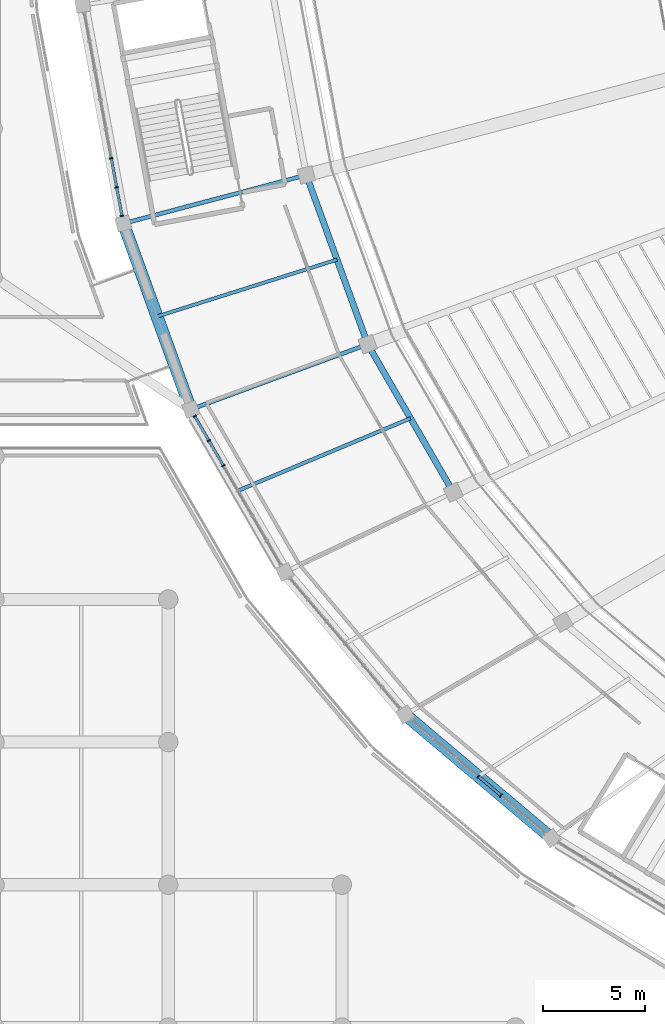
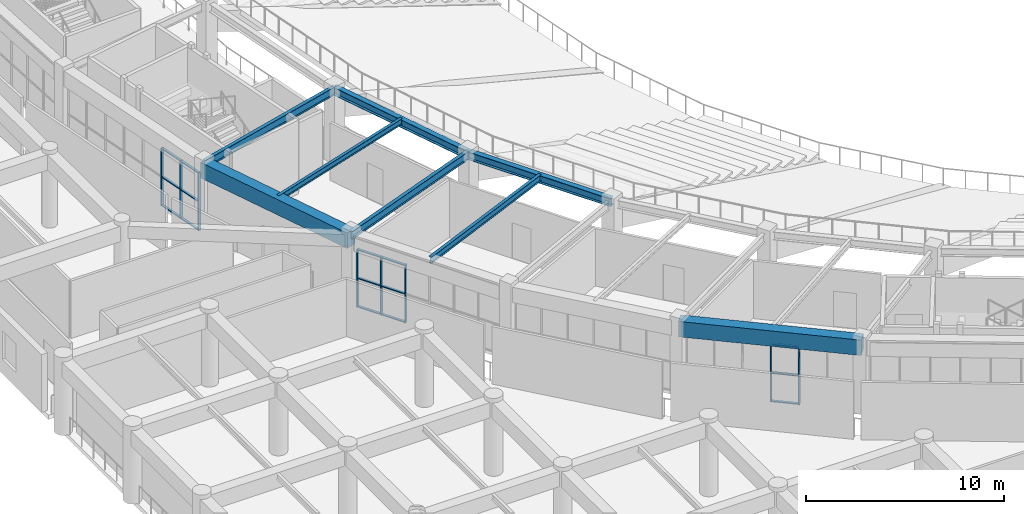
# One storey, part 19 of 137: 23 members, 8 beams, 3 elements without a shape of their own.
"""IFC4 building model written with IfcOpenShell, lengths in metres."""

from ifc_helpers import new_model, si_unit, direction, frame, origin, origin_2d, place, context, subcontext, project, spatial, rectangle, i_section, extrude, material, layer, layer_set, material_profile, profile_set, type_object, element, aggregate, save


model = new_model("IFC4")

# Units and contexts
model_context = context("Model", 3, precision=1e-05, world=origin(), true_north=direction((0.0, 1.0)))
body_context = subcontext(model_context, "Body", "Model", "MODEL_VIEW")
ifc_project = project(units=[si_unit("LENGTHUNIT", "METRE"), si_unit("AREAUNIT", "SQUARE_METRE"), si_unit("VOLUMEUNIT", "CUBIC_METRE"), si_unit("PLANEANGLEUNIT", "RADIAN"), si_unit("MASSUNIT", "GRAM", prefix="KILO")], contexts=[model_context])

# Site, building, storey
site_placement = place(None, origin())
site = spatial("IfcSite", under=ifc_project, at=site_placement, CompositionType="ELEMENT")
building_placement = place(site_placement, origin())
building = spatial("IfcBuilding", under=site, at=building_placement, Name="Mphavela Belvedere Stadium", CompositionType="ELEMENT")
storey_placement = place(building_placement, frame((0.0, 0.0, 19.199951171875)))
storey = spatial("IfcBuildingStorey", under=building, at=storey_placement, Name="L04", CompositionType="ELEMENT", Elevation=19.199951171875)

# Beams
ifc_material_1 = material(Name="Concrete C40/50", Category="concrete")
ifc_material_profile_1 = material_profile(ifc_material_1, rectangle(XDim=0.60009765625, YDim=0.949951171875, at=origin_2d()), Name="RC 600x950")
ifc_profile_set_1 = profile_set([ifc_material_profile_1], Name="Concrete C40/50")
beam_type_1 = type_object("IfcBeamType", Name="BM-ENTABLATURE-950", PredefinedType="SPANDREL", material=ifc_profile_set_1)
beam_1_placement = place(storey_placement, frame((14.83544921875, 60.4375, 4.074951171875), z_axis=(0.341017570596, -0.94005692197, 0.0), x_axis=(0.94005692197, 0.341017570596, 0.0)))
element("IfcBeam", 1, at=beam_1_placement, inside=storey, type_object=beam_type_1, Name="Circumferential girder L04 R4-27", PredefinedType="SPANDREL", context=body_context, shape_type="SweptSolid", body=[
    extrude(rectangle(XDim=0.60009765625, YDim=0.949951171875, at=origin_2d()), origin(), (0.0, 0.0, 1.0), 9.701416015625),
])
beam_2_placement = place(storey_placement, frame((28.66162109375, 36.346435546875, 4.074951171875), z_axis=(0.76426547638, -0.644901761212, 0.0), x_axis=(0.644901761212, 0.76426547638, 0.0)))
element("IfcBeam", 2, at=beam_2_placement, inside=storey, type_object=beam_type_1, Name="Circumferential girder L04 R4-30", PredefinedType="SPANDREL", context=body_context, shape_type="SweptSolid", body=[
    extrude(rectangle(XDim=0.60009765625, YDim=0.949951171875, at=origin_2d()), origin(), (0.0, 0.0, 1.0), 9.3984375),
])
ifc_material_2 = material(Name="Steel S355", Category="steel")
ifc_material_profile_2 = material_profile(ifc_material_2, i_section(OverallWidth=0.169921875, OverallDepth=0.360107421875, WebThickness=0.008056640625, FlangeThickness=0.0126953125, at=origin_2d()), Name="IPE 360")
ifc_profile_set_2 = profile_set([ifc_material_profile_2], Name="Steel S355")
beam_type_2 = type_object("IfcBeamType", Name="BM-JOIST-IPE360", PredefinedType="JOIST", material=ifc_profile_set_2)
beam_3_placement = place(storey_placement, frame((25.318359375, 58.6669921875, 4.3701171875), z_axis=(-0.953544002003, -0.301253773826, 0.0), x_axis=(0.301253773826, -0.953544002003, 0.0)))
element("IfcBeam", 3, at=beam_3_placement, inside=storey, type_object=beam_type_2, Name="Concourse floor joist L04-27", PredefinedType="JOIST", context=body_context, shape_type="SweptSolid", body=[
    extrude(i_section(OverallWidth=0.169921875, OverallDepth=0.360107421875, WebThickness=0.008056640625, FlangeThickness=0.0126953125, at=origin_2d()), origin(), (0.0, 0.0, 1.0), 9.259033203125),
])
ifc_material_3 = material(Name="Steel S355", Category="steel")
ifc_material_profile_3 = material_profile(ifc_material_3, i_section(OverallWidth=0.179931640625, OverallDepth=0.39990234375, WebThickness=0.008544921875, FlangeThickness=0.013427734375, at=origin_2d()), Name="IPE 400")
ifc_profile_set_3 = profile_set([ifc_material_profile_3], Name="Steel S355")
beam_type_3 = type_object("IfcBeamType", Name="BM-JOIST-IPE400", PredefinedType="JOIST", material=ifc_profile_set_3)
beam_4_placement = place(storey_placement, frame((28.924560546875, 50.8837890625, 4.35009765625), z_axis=(-0.922112756047, -0.386921264775, 0.0), x_axis=(0.386921264775, -0.922112756047, 0.0)))
element("IfcBeam", 4, at=beam_4_placement, inside=storey, type_object=beam_type_3, Name="Concourse floor joist L04-28", PredefinedType="JOIST", context=body_context, shape_type="SweptSolid", body=[
    extrude(i_section(OverallWidth=0.179931640625, OverallDepth=0.39990234375, WebThickness=0.008544921875, FlangeThickness=0.013427734375, at=origin_2d()), origin(), (0.0, 0.0, 1.0), 9.189697265625),
])
ifc_material_4 = material(Name="Steel S355", Category="steel")
ifc_material_profile_4 = material_profile(ifc_material_4, i_section(OverallWidth=0.300048828125, OverallDepth=0.489990234375, WebThickness=0.011962890625, FlangeThickness=0.02294921875, at=origin_2d()), Name="HEA 500")
ifc_profile_set_4 = profile_set([ifc_material_profile_4], Name="Steel S355")
beam_type_4 = type_object("IfcBeamType", Name="BM-STEEL-HEA500", PredefinedType="BEAM", material=ifc_profile_set_4)
beam_5_placement = place(storey_placement, frame((23.8125, 62.818115234375, 4.304931640625), z_axis=(0.341030504348, -0.940052229987, 0.0), x_axis=(0.940052229987, 0.341030504348, 0.0)))
element("IfcBeam", 5, at=beam_5_placement, inside=storey, type_object=beam_type_4, Name="Circumferential girder L04 R3-27", PredefinedType="BEAM", context=body_context, shape_type="SweptSolid", body=[
    extrude(i_section(OverallWidth=0.300048828125, OverallDepth=0.489990234375, WebThickness=0.011962890625, FlangeThickness=0.02294921875, at=origin_2d()), origin(), (0.0, 0.0, 1.0), 8.83203125),
])
beam_6_placement = place(storey_placement, frame((26.824462890625, 54.515625, 4.304931640625), z_axis=(0.500547586322, -0.865709023765, 0.0), x_axis=(0.865709023765, 0.500547586322, 0.0)))
element("IfcBeam", 6, at=beam_6_placement, inside=storey, type_object=beam_type_4, Name="Circumferential girder L04 R3-28", PredefinedType="BEAM", context=body_context, shape_type="SweptSolid", body=[
    extrude(i_section(OverallWidth=0.300048828125, OverallDepth=0.489990234375, WebThickness=0.011962890625, FlangeThickness=0.02294921875, at=origin_2d()), origin(), (0.0, 0.0, 1.0), 8.390625),
])
ifc_material_5 = material(Name="Steel S355", Category="steel")
ifc_material_profile_5 = material_profile(ifc_material_5, i_section(OverallWidth=0.199951171875, OverallDepth=0.5, WebThickness=0.01025390625, FlangeThickness=0.01611328125, at=origin_2d()), Name="IPE 500")
ifc_profile_set_5 = profile_set([ifc_material_profile_5], Name="Steel S355")
beam_type_5 = type_object("IfcBeamType", Name="BM-STEEL-IPE500", PredefinedType="BEAM", material=ifc_profile_set_5)
beam_7_placement = place(storey_placement, frame((23.8125, 62.818115234375, 4.300048828125), z_axis=(-0.966589609073, -0.256328944196, 0.0), x_axis=(0.256328944196, -0.966589609073, 0.0)))
element("IfcBeam", 7, at=beam_7_placement, inside=storey, type_object=beam_type_5, Name="Radial concourse girder L04 R3R4-27", PredefinedType="BEAM", context=body_context, shape_type="SweptSolid", body=[
    extrude(i_section(OverallWidth=0.199951171875, OverallDepth=0.5, WebThickness=0.01025390625, FlangeThickness=0.01611328125, at=origin_2d()), origin(), (0.0, 0.0, 1.0), 9.287353515625),
])
beam_8_placement = place(storey_placement, frame((26.824462890625, 54.515625, 4.300048828125), z_axis=(-0.938348073025, -0.345691905967, 0.0), x_axis=(0.345691905967, -0.938348073025, 0.0)))
element("IfcBeam", 8, at=beam_8_placement, inside=storey, type_object=beam_type_5, Name="Radial concourse girder L04 R3R4-28", PredefinedType="BEAM", context=body_context, shape_type="SweptSolid", body=[
    extrude(i_section(OverallWidth=0.199951171875, OverallDepth=0.5, WebThickness=0.01025390625, FlangeThickness=0.01611328125, at=origin_2d()), origin(), (0.0, 0.0, 1.0), 9.2509765625),
])

# Curtain wall, members
ifc_material_6 = material(Name="Anodised bronze unitised curtain wall framing")
ifc_layer_1 = layer(ifc_material_6, 0.18505859375)
ifc_layer_set_1 = layer_set([ifc_layer_1], Name="Anodised bronze unitised curtain wall framing")
curtain_wall_type_1 = type_object("IfcCurtainWallType", Name="CW-UNIT-02", PredefinedType="USERDEFINED", material=ifc_layer_set_1)
curtain_wall_1_placement = place(storey_placement, origin())
curtain_wall_1 = element("IfcCurtainWall", 9, at=curtain_wall_1_placement, inside=storey, type_object=curtain_wall_type_1, Name="Belvedere colonnade curtain wall L04-26", ObjectType="UNITISED CURTAIN WALL", PredefinedType="USERDEFINED")
ifc_material_7 = material(Name="Anodised bronze extruded aluminium", Category="aluminium")
ifc_material_profile_6 = material_profile(ifc_material_7, rectangle(XDim=0.179931640625, YDim=0.06494140625, at=origin_2d()), Name="CW-MUL 180x65")
ifc_profile_set_6 = profile_set([ifc_material_profile_6], Name="Anodised bronze extruded aluminium")
member_type_1 = type_object("IfcMemberType", Name="CWM-180x65", PredefinedType="MULLION", material=ifc_profile_set_6)
member_1_placement = place(storey_placement, frame((14.2392578125, 63.646240234375, 0.0), z_axis=(0.0, 0.0, 1.0), x_axis=(0.98318393569, 0.182618040183, 0.0)))
member_1 = element("IfcMember", 10, at=member_1_placement, type_object=member_type_1, Name="CW-02 mullion 6", PredefinedType="MULLION", context=body_context, shape_type="SweptSolid", body=[
    extrude(rectangle(XDim=0.179931640625, YDim=0.06494140625, at=origin_2d()), origin(), (0.0, 0.0, 1.0), 3.570068359375),
])
member_2_placement = place(storey_placement, frame((14.505615234375, 62.212890625, 0.0), z_axis=(0.0, 0.0, 1.0), x_axis=(0.98318393569, 0.182618040183, 0.0)))
member_2 = element("IfcMember", 11, at=member_2_placement, type_object=member_type_1, Name="CW-02 mullion 7", PredefinedType="MULLION", context=body_context, shape_type="SweptSolid", body=[
    extrude(rectangle(XDim=0.179931640625, YDim=0.06494140625, at=origin_2d()), origin(), (0.0, 0.0, 1.0), 3.570068359375),
])
member_3_placement = place(storey_placement, frame((14.765869140625, 60.8115234375, 0.0), z_axis=(0.0, 0.0, 1.0), x_axis=(0.98318393569, 0.182618040183, 0.0)))
member_3 = element("IfcMember", 12, at=member_3_placement, type_object=member_type_1, Name="CW-02 mullion 8", PredefinedType="MULLION", context=body_context, shape_type="SweptSolid", body=[
    extrude(rectangle(XDim=0.179931640625, YDim=0.06494140625, at=origin_2d()), origin(), (0.0, 0.0, 1.0), 3.570068359375),
])

ifc_material_8 = material(Name="Anodised bronze unitised curtain wall framing")
ifc_layer_2 = layer(ifc_material_8, 0.18994140625)
ifc_layer_set_2 = layer_set([ifc_layer_2], Name="Anodised bronze unitised curtain wall framing")
curtain_wall_type_2 = type_object("IfcCurtainWallType", Name="CW-UNIT-03", PredefinedType="USERDEFINED", material=ifc_layer_set_2)
curtain_wall_2_placement = place(storey_placement, origin())
curtain_wall_2 = element("IfcCurtainWall", 13, at=curtain_wall_2_placement, inside=storey, type_object=curtain_wall_type_2, Name="Belvedere colonnade curtain wall L04-28", ObjectType="UNITISED CURTAIN WALL", PredefinedType="USERDEFINED")
member_4_placement = place(storey_placement, frame((18.33447265625, 50.98828125, 0.0), z_axis=(0.0, 0.0, 1.0), x_axis=(0.865704159606, 0.500555998906, 0.0)))
member_4 = element("IfcMember", 14, at=member_4_placement, type_object=member_type_1, Name="CW-03 mullion 1", PredefinedType="MULLION", context=body_context, shape_type="SweptSolid", body=[
    extrude(rectangle(XDim=0.179931640625, YDim=0.06494140625, at=origin_2d()), origin(), (0.0, 0.0, 1.0), 3.570068359375),
])
member_5_placement = place(storey_placement, frame((19.029052734375, 49.786865234375, 0.0), z_axis=(0.0, 0.0, 1.0), x_axis=(0.865704159606, 0.500555998906, 0.0)))
member_5 = element("IfcMember", 15, at=member_5_placement, type_object=member_type_1, Name="CW-03 mullion 2", PredefinedType="MULLION", context=body_context, shape_type="SweptSolid", body=[
    extrude(rectangle(XDim=0.179931640625, YDim=0.06494140625, at=origin_2d()), origin(), (0.0, 0.0, 1.0), 3.570068359375),
])
member_6_placement = place(storey_placement, frame((19.73974609375, 48.5576171875, 0.0), z_axis=(0.0, 0.0, 1.0), x_axis=(0.865704159606, 0.500555998906, 0.0)))
member_6 = element("IfcMember", 16, at=member_6_placement, type_object=member_type_1, Name="CW-03 mullion 3", PredefinedType="MULLION", context=body_context, shape_type="SweptSolid", body=[
    extrude(rectangle(XDim=0.179931640625, YDim=0.06494140625, at=origin_2d()), origin(), (0.0, 0.0, 1.0), 3.570068359375),
])

ifc_material_9 = material(Name="Anodised bronze unitised curtain wall framing")
ifc_layer_3 = layer(ifc_material_9, 0.199951171875)
ifc_layer_set_3 = layer_set([ifc_layer_3], Name="Anodised bronze unitised curtain wall framing")
curtain_wall_type_3 = type_object("IfcCurtainWallType", Name="CW-UNIT-05", PredefinedType="USERDEFINED", material=ifc_layer_set_3)
curtain_wall_3_placement = place(storey_placement, origin())
curtain_wall_3 = element("IfcCurtainWall", 17, at=curtain_wall_3_placement, inside=storey, type_object=curtain_wall_type_3, Name="Belvedere colonnade curtain wall L04-30", ObjectType="UNITISED CURTAIN WALL", PredefinedType="USERDEFINED")
member_7_placement = place(storey_placement, frame((32.2529296875, 33.31591796875, 0.0), z_axis=(0.0, 0.0, 1.0), x_axis=(0.644916038089, 0.764253429051, 0.0)))
member_7 = element("IfcMember", 18, at=member_7_placement, type_object=member_type_1, Name="CW-05 mullion 4", PredefinedType="MULLION", context=body_context, shape_type="SweptSolid", body=[
    extrude(rectangle(XDim=0.179931640625, YDim=0.06494140625, at=origin_2d()), origin(), (0.0, 0.0, 1.0), 3.570068359375),
])
member_8_placement = place(storey_placement, frame((33.361572265625, 32.380615234375, 0.0), z_axis=(0.0, 0.0, 1.0), x_axis=(0.644916038089, 0.764253429051, 0.0)))
member_8 = element("IfcMember", 19, at=member_8_placement, type_object=member_type_1, Name="CW-05 mullion 5", PredefinedType="MULLION", context=body_context, shape_type="SweptSolid", body=[
    extrude(rectangle(XDim=0.179931640625, YDim=0.06494140625, at=origin_2d()), origin(), (0.0, 0.0, 1.0), 3.570068359375),
])

# Member
ifc_material_10 = material(Name="Anodised bronze extruded aluminium", Category="aluminium")
ifc_material_profile_7 = material_profile(ifc_material_10, rectangle(XDim=0.139892578125, YDim=0.06005859375, at=origin_2d()), Name="CW-TRN 140x60")
ifc_profile_set_7 = profile_set([ifc_material_profile_7], Name="Anodised bronze extruded aluminium")
member_type_2 = type_object("IfcMemberType", Name="CWT-140x60", PredefinedType="USERDEFINED", material=ifc_profile_set_7)
member_9_placement = place(storey_placement, frame((14.245361328125, 63.6142578125, 0.030029296875), z_axis=(0.1826478673, -0.98317839509, 0.0), x_axis=(0.98317839509, 0.1826478673, 0.0)))
member_9 = element("IfcMember", 20, at=member_9_placement, type_object=member_type_2, Name="CW-02 transom 6.1", ObjectType="TRANSOM", PredefinedType="USERDEFINED", context=body_context, shape_type="SweptSolid", body=[
    extrude(rectangle(XDim=0.139892578125, YDim=0.06005859375, at=origin_2d()), origin(), (0.0, 0.0, 1.0), 1.392822265625),
])

member_10_placement = place(storey_placement, frame((14.245361328125, 63.6142578125, 1.78515625), z_axis=(0.1826478673, -0.98317839509, 0.0), x_axis=(0.98317839509, 0.1826478673, 0.0)))
member_10 = element("IfcMember", 21, at=member_10_placement, type_object=member_type_2, Name="CW-02 transom 6.2", ObjectType="TRANSOM", PredefinedType="USERDEFINED", context=body_context, shape_type="SweptSolid", body=[
    extrude(rectangle(XDim=0.139892578125, YDim=0.06005859375, at=origin_2d()), origin(), (0.0, 0.0, 1.0), 1.392822265625),
])

member_11_placement = place(storey_placement, frame((14.245361328125, 63.6142578125, 3.5400390625), z_axis=(0.1826478673, -0.98317839509, 0.0), x_axis=(0.98317839509, 0.1826478673, 0.0)))
member_11 = element("IfcMember", 22, at=member_11_placement, type_object=member_type_2, Name="CW-02 transom 6.3", ObjectType="TRANSOM", PredefinedType="USERDEFINED", context=body_context, shape_type="SweptSolid", body=[
    extrude(rectangle(XDim=0.139892578125, YDim=0.06005859375, at=origin_2d()), origin(), (0.0, 0.0, 1.0), 1.392822265625),
])

member_12_placement = place(storey_placement, frame((14.511474609375, 62.180908203125, 0.030029296875), z_axis=(0.182706201603, -0.983167556369, 0.0), x_axis=(0.983167556369, 0.182706201603, 0.0)))
member_12 = element("IfcMember", 23, at=member_12_placement, type_object=member_type_2, Name="CW-02 transom 7.1", ObjectType="TRANSOM", PredefinedType="USERDEFINED", context=body_context, shape_type="SweptSolid", body=[
    extrude(rectangle(XDim=0.139892578125, YDim=0.06005859375, at=origin_2d()), origin(), (0.0, 0.0, 1.0), 1.3603515625),
])

member_13_placement = place(storey_placement, frame((14.511474609375, 62.180908203125, 1.78515625), z_axis=(0.182706201603, -0.983167556369, 0.0), x_axis=(0.983167556369, 0.182706201603, 0.0)))
member_13 = element("IfcMember", 24, at=member_13_placement, type_object=member_type_2, Name="CW-02 transom 7.2", ObjectType="TRANSOM", PredefinedType="USERDEFINED", context=body_context, shape_type="SweptSolid", body=[
    extrude(rectangle(XDim=0.139892578125, YDim=0.06005859375, at=origin_2d()), origin(), (0.0, 0.0, 1.0), 1.3603515625),
])

member_14_placement = place(storey_placement, frame((14.511474609375, 62.180908203125, 3.5400390625), z_axis=(0.182706201603, -0.983167556369, 0.0), x_axis=(0.983167556369, 0.182706201603, 0.0)))
member_14 = element("IfcMember", 25, at=member_14_placement, type_object=member_type_2, Name="CW-02 transom 7.3", ObjectType="TRANSOM", PredefinedType="USERDEFINED", context=body_context, shape_type="SweptSolid", body=[
    extrude(rectangle(XDim=0.139892578125, YDim=0.06005859375, at=origin_2d()), origin(), (0.0, 0.0, 1.0), 1.3603515625),
])

aggregate(curtain_wall_1, [member_1, member_2, member_3, member_9, member_10, member_11, member_12, member_13, member_14])

member_15_placement = place(storey_placement, frame((18.3505859375, 50.960205078125, 0.030029296875), z_axis=(0.500585088296, -0.865687339272, 0.0), x_axis=(0.865687339272, 0.500585088296, 0.0)))
member_15 = element("IfcMember", 26, at=member_15_placement, type_object=member_type_2, Name="CW-03 transom 1.1", ObjectType="TRANSOM", PredefinedType="USERDEFINED", context=body_context, shape_type="SweptSolid", body=[
    extrude(rectangle(XDim=0.139892578125, YDim=0.06005859375, at=origin_2d()), origin(), (0.0, 0.0, 1.0), 1.32275390625),
])

member_16_placement = place(storey_placement, frame((18.3505859375, 50.960205078125, 1.78515625), z_axis=(0.500585088296, -0.865687339272, 0.0), x_axis=(0.865687339272, 0.500585088296, 0.0)))
member_16 = element("IfcMember", 27, at=member_16_placement, type_object=member_type_2, Name="CW-03 transom 1.2", ObjectType="TRANSOM", PredefinedType="USERDEFINED", context=body_context, shape_type="SweptSolid", body=[
    extrude(rectangle(XDim=0.139892578125, YDim=0.06005859375, at=origin_2d()), origin(), (0.0, 0.0, 1.0), 1.32275390625),
])

member_17_placement = place(storey_placement, frame((18.3505859375, 50.960205078125, 3.5400390625), z_axis=(0.500585088296, -0.865687339272, 0.0), x_axis=(0.865687339272, 0.500585088296, 0.0)))
member_17 = element("IfcMember", 28, at=member_17_placement, type_object=member_type_2, Name="CW-03 transom 1.3", ObjectType="TRANSOM", PredefinedType="USERDEFINED", context=body_context, shape_type="SweptSolid", body=[
    extrude(rectangle(XDim=0.139892578125, YDim=0.06005859375, at=origin_2d()), origin(), (0.0, 0.0, 1.0), 1.32275390625),
])

member_18_placement = place(storey_placement, frame((19.045166015625, 49.7587890625, 0.030029296875), z_axis=(0.500652736362, -0.865648218143, 0.0), x_axis=(0.865648218143, 0.500652736362, 0.0)))
member_18 = element("IfcMember", 29, at=member_18_placement, type_object=member_type_2, Name="CW-03 transom 2.1", ObjectType="TRANSOM", PredefinedType="USERDEFINED", context=body_context, shape_type="SweptSolid", body=[
    extrude(rectangle(XDim=0.139892578125, YDim=0.06005859375, at=origin_2d()), origin(), (0.0, 0.0, 1.0), 1.355224609375),
])

member_19_placement = place(storey_placement, frame((19.045166015625, 49.7587890625, 1.78515625), z_axis=(0.500652736362, -0.865648218143, 0.0), x_axis=(0.865648218143, 0.500652736362, 0.0)))
member_19 = element("IfcMember", 30, at=member_19_placement, type_object=member_type_2, Name="CW-03 transom 2.2", ObjectType="TRANSOM", PredefinedType="USERDEFINED", context=body_context, shape_type="SweptSolid", body=[
    extrude(rectangle(XDim=0.139892578125, YDim=0.06005859375, at=origin_2d()), origin(), (0.0, 0.0, 1.0), 1.355224609375),
])

member_20_placement = place(storey_placement, frame((19.045166015625, 49.7587890625, 3.5400390625), z_axis=(0.500652736362, -0.865648218143, 0.0), x_axis=(0.865648218143, 0.500652736362, 0.0)))
member_20 = element("IfcMember", 31, at=member_20_placement, type_object=member_type_2, Name="CW-03 transom 2.3", ObjectType="TRANSOM", PredefinedType="USERDEFINED", context=body_context, shape_type="SweptSolid", body=[
    extrude(rectangle(XDim=0.139892578125, YDim=0.06005859375, at=origin_2d()), origin(), (0.0, 0.0, 1.0), 1.355224609375),
])

aggregate(curtain_wall_2, [member_4, member_5, member_6, member_15, member_16, member_17, member_18, member_19, member_20])

member_21_placement = place(storey_placement, frame((32.27783203125, 33.294921875, 0.030029296875), z_axis=(0.764321340715, -0.644835551228, 0.0), x_axis=(0.644835551228, 0.764321340715, 0.0)))
member_21 = element("IfcMember", 32, at=member_21_placement, type_object=member_type_2, Name="CW-05 transom 4.1", ObjectType="TRANSOM", PredefinedType="USERDEFINED", context=body_context, shape_type="SweptSolid", body=[
    extrude(rectangle(XDim=0.139892578125, YDim=0.06005859375, at=origin_2d()), origin(), (0.0, 0.0, 1.0), 1.38525390625),
])

member_22_placement = place(storey_placement, frame((32.27783203125, 33.294921875, 1.78515625), z_axis=(0.764321340715, -0.644835551228, 0.0), x_axis=(0.644835551228, 0.764321340715, 0.0)))
member_22 = element("IfcMember", 33, at=member_22_placement, type_object=member_type_2, Name="CW-05 transom 4.2", ObjectType="TRANSOM", PredefinedType="USERDEFINED", context=body_context, shape_type="SweptSolid", body=[
    extrude(rectangle(XDim=0.139892578125, YDim=0.06005859375, at=origin_2d()), origin(), (0.0, 0.0, 1.0), 1.38525390625),
])

member_23_placement = place(storey_placement, frame((32.27783203125, 33.294921875, 3.5400390625), z_axis=(0.764321340715, -0.644835551228, 0.0), x_axis=(0.644835551228, 0.764321340715, 0.0)))
member_23 = element("IfcMember", 34, at=member_23_placement, type_object=member_type_2, Name="CW-05 transom 4.3", ObjectType="TRANSOM", PredefinedType="USERDEFINED", context=body_context, shape_type="SweptSolid", body=[
    extrude(rectangle(XDim=0.139892578125, YDim=0.06005859375, at=origin_2d()), origin(), (0.0, 0.0, 1.0), 1.38525390625),
])

aggregate(curtain_wall_3, [member_7, member_8, member_21, member_22, member_23])

save(model, "model.ifc")
